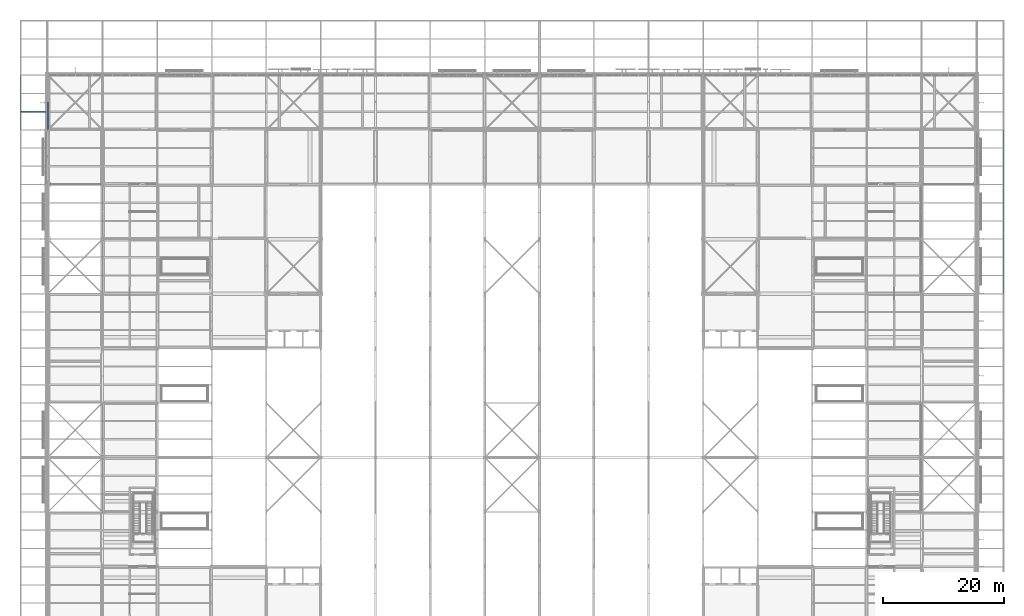
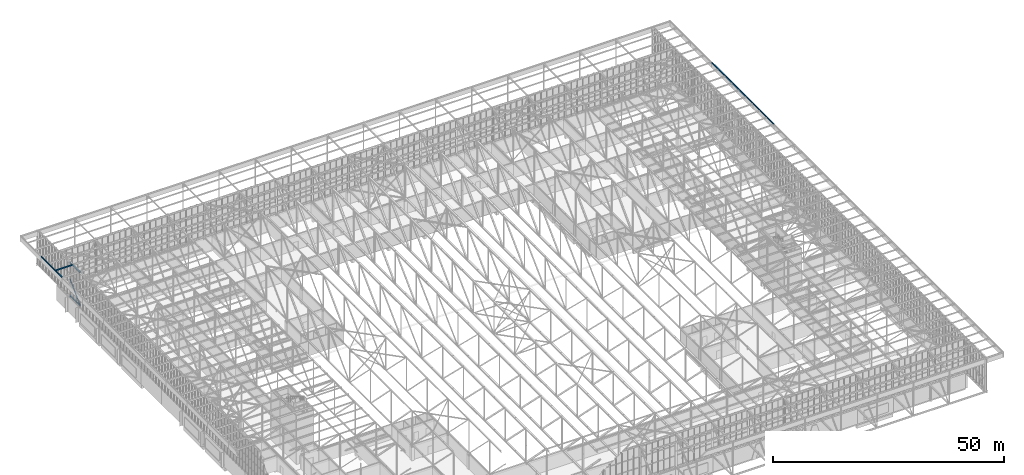
# One storey, part 111 of 646: 8 members.
"""IFC4 building model written with IfcOpenShell, lengths in metres."""

from ifc_helpers import new_model, si_unit, direction, frame, origin, origin_2d, place, context, subcontext, project, spatial, hollow_rectangle, i_section, extrude, material, material_profile, profile_set, type_object, element, save


model = new_model("IFC4")

# Units and contexts
model_context = context("Model", 3, precision=1e-05, world=origin(), true_north=direction((0.0, 1.0)))
body_context = subcontext(model_context, "Body", "Model", "MODEL_VIEW")
ifc_project = project(units=[si_unit("LENGTHUNIT", "METRE"), si_unit("AREAUNIT", "SQUARE_METRE"), si_unit("VOLUMEUNIT", "CUBIC_METRE"), si_unit("PLANEANGLEUNIT", "RADIAN"), si_unit("MASSUNIT", "GRAM", prefix="KILO")], contexts=[model_context])

# Site, building, storey
site_placement = place(None, origin())
site = spatial("IfcSite", under=ifc_project, at=site_placement, CompositionType="ELEMENT")
building_placement = place(site_placement, origin())
building = spatial("IfcBuilding", under=site, at=building_placement, Name="Silverbay Arena", CompositionType="ELEMENT")
storey_placement = place(building_placement, frame((0.0, 0.0, 33.5)))
storey = spatial("IfcBuildingStorey", under=building, at=storey_placement, Name="L05", CompositionType="ELEMENT", Elevation=33.5)

# Members
ifc_material_1 = material(Name="Steel S355", Category="steel")
ifc_material_profile_1 = material_profile(ifc_material_1, hollow_rectangle(XDim=0.199951171875, YDim=0.300048828125, WallThickness=0.008056640625, at=origin_2d()), Name="RHS 300x200x8")
ifc_profile_set_1 = profile_set([ifc_material_profile_1], Name="Steel S355")
member_type_1 = type_object("IfcMemberType", Name="Purlin RHS 300x200x8", PredefinedType="PURLIN", material=ifc_profile_set_1)
member_1_placement = place(storey_placement, frame((49.60009765625, 138.0, 13.14990234375), z_axis=(1.0, 0.0, 0.0), x_axis=(0.0, 1.0, 0.0)))
element("IfcMember", 1, at=member_1_placement, inside=storey, type_object=member_type_1, Name="ROOF PURLIN west eave line 44", PredefinedType="PURLIN", context=body_context, shape_type="SweptSolid", body=[
    extrude(hollow_rectangle(XDim=0.199951171875, YDim=0.300048828125, WallThickness=0.008056640625, at=origin_2d()), origin(), (0.0, 0.0, 1.0), 4.39990234375),
])
for number, where, z_axis, x_axis, name in (
    (2, (49.5, 135.0, 13.14990234375), (0.0, 1.0, 0.0), (-1.0, 0.0, 0.0), "ROOF PURLIN west eave edge 15"),
    (3, (211.5, 108.0, 13.14990234375), (0.0, 1.0, 0.0), (-1.0, 0.0, 0.0), "ROOF PURLIN east eave edge 12"),
    (4, (211.5, 117.0, 13.14990234375), (0.0, 1.0, 0.0), (-1.0, 0.0, 0.0), "ROOF PURLIN east eave edge 13"),
    (5, (211.5, 126.0, 13.14990234375), (0.0, 1.0, 0.0), (-1.0, 0.0, 0.0), "ROOF PURLIN east eave edge 14"),
):
    element("IfcMember", number, at=place(storey_placement, frame(where, z_axis=z_axis, x_axis=x_axis)), inside=storey, type_object=member_type_1, Name=name, PredefinedType="PURLIN", context=body_context, shape_type="SweptSolid", body=[
        extrude(hollow_rectangle(XDim=0.199951171875, YDim=0.300048828125, WallThickness=0.008056640625, at=origin_2d()), origin(), (0.0, 0.0, 1.0), 9.0),
    ])
ifc_material_2 = material(Name="Steel S355", Category="steel")
ifc_material_profile_2 = material_profile(ifc_material_2, i_section(OverallWidth=0.254638671875, OverallDepth=0.254150390625, WebThickness=0.008544921875, FlangeThickness=0.01416015625, at=origin_2d()), Name="UC 254x254x73")
ifc_profile_set_2 = profile_set([ifc_material_profile_2], Name="Steel S355")
member_type_2 = type_object("IfcMemberType", Name="Short-span bottom chord UC 254x254x73", PredefinedType="CHORD", material=ifc_profile_set_2)
member_2_placement = place(storey_placement, frame((54.0, 135.0, 4.126953125), z_axis=(0.0, 1.0, 0.0), x_axis=(-1.0, 0.0, 0.0)))
element("IfcMember", 6, at=member_2_placement, inside=storey, type_object=member_type_2, Name="ROOF TRUSS 7 bottom chord 15a", PredefinedType="CHORD", context=body_context, shape_type="SweptSolid", body=[
    extrude(i_section(OverallWidth=0.254638671875, OverallDepth=0.254150390625, WebThickness=0.008544921875, FlangeThickness=0.01416015625, at=origin_2d()), origin(), (0.0, 0.0, 1.0), 4.5),
])
ifc_material_3 = material(Name="Steel S355", Category="steel")
ifc_material_profile_3 = material_profile(ifc_material_3, i_section(OverallWidth=0.254638671875, OverallDepth=0.254150390625, WebThickness=0.008544921875, FlangeThickness=0.01416015625, at=origin_2d()), Name="UC 254x254x73")
ifc_profile_set_3 = profile_set([ifc_material_profile_3], Name="Steel S355")
member_type_3 = type_object("IfcMemberType", Name="Short-span top chord UC 254x254x73", PredefinedType="CHORD", material=ifc_profile_set_3)
member_3_placement = place(storey_placement, frame((54.0, 135.0, 12.873046875), z_axis=(0.0, 1.0, 0.0), x_axis=(-1.0, 0.0, 0.0)))
element("IfcMember", 7, at=member_3_placement, inside=storey, type_object=member_type_3, Name="ROOF TRUSS 7 top chord 15a", PredefinedType="CHORD", context=body_context, shape_type="SweptSolid", body=[
    extrude(i_section(OverallWidth=0.254638671875, OverallDepth=0.254150390625, WebThickness=0.008544921875, FlangeThickness=0.01416015625, at=origin_2d()), origin(), (0.0, 0.0, 1.0), 4.5),
])
ifc_material_4 = material(Name="Steel S355", Category="steel")
ifc_material_profile_4 = material_profile(ifc_material_4, hollow_rectangle(XDim=0.199951171875, YDim=0.199951171875, WallThickness=0.008056640625, at=origin_2d()), Name="SHS 200x200x8")
ifc_profile_set_4 = profile_set([ifc_material_profile_4], Name="Steel S355")
member_type_4 = type_object("IfcMemberType", Name="Short-span truss diagonal SHS 200x200x8", PredefinedType="BRACE", material=ifc_profile_set_4)
member_4_placement = place(storey_placement, frame((54.0, 139.5, 8.5), z_axis=(0.0, -0.70781724692, -0.706395600894), x_axis=(1.0, 0.0, 0.0)))
element("IfcMember", 8, at=member_4_placement, inside=storey, type_object=member_type_4, Name="ROOF TRUSS 7 diagonal 15b", PredefinedType="BRACE", context=body_context, shape_type="SweptSolid", body=[
    extrude(hollow_rectangle(XDim=0.199951171875, YDim=0.199951171875, WallThickness=0.008056640625, at=origin_2d()), origin(), (0.0, 0.0, 1.0), 6.010498046875),
])

save(model, "model.ifc")
